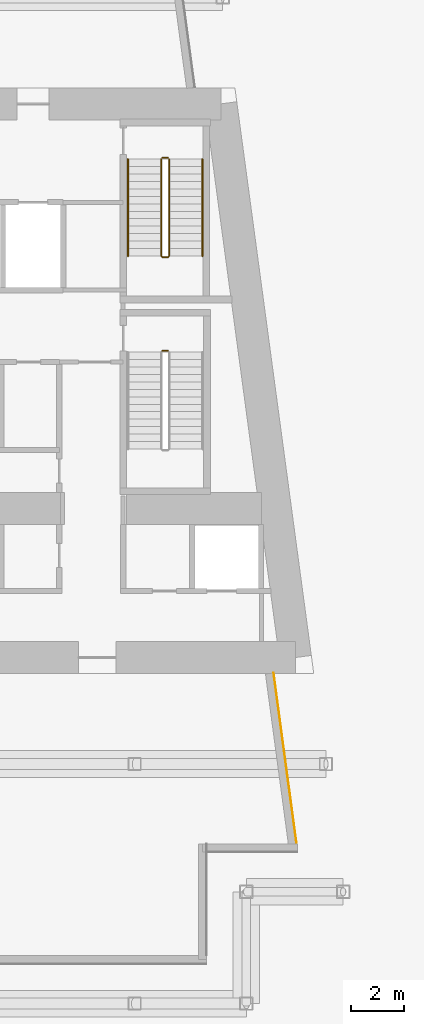
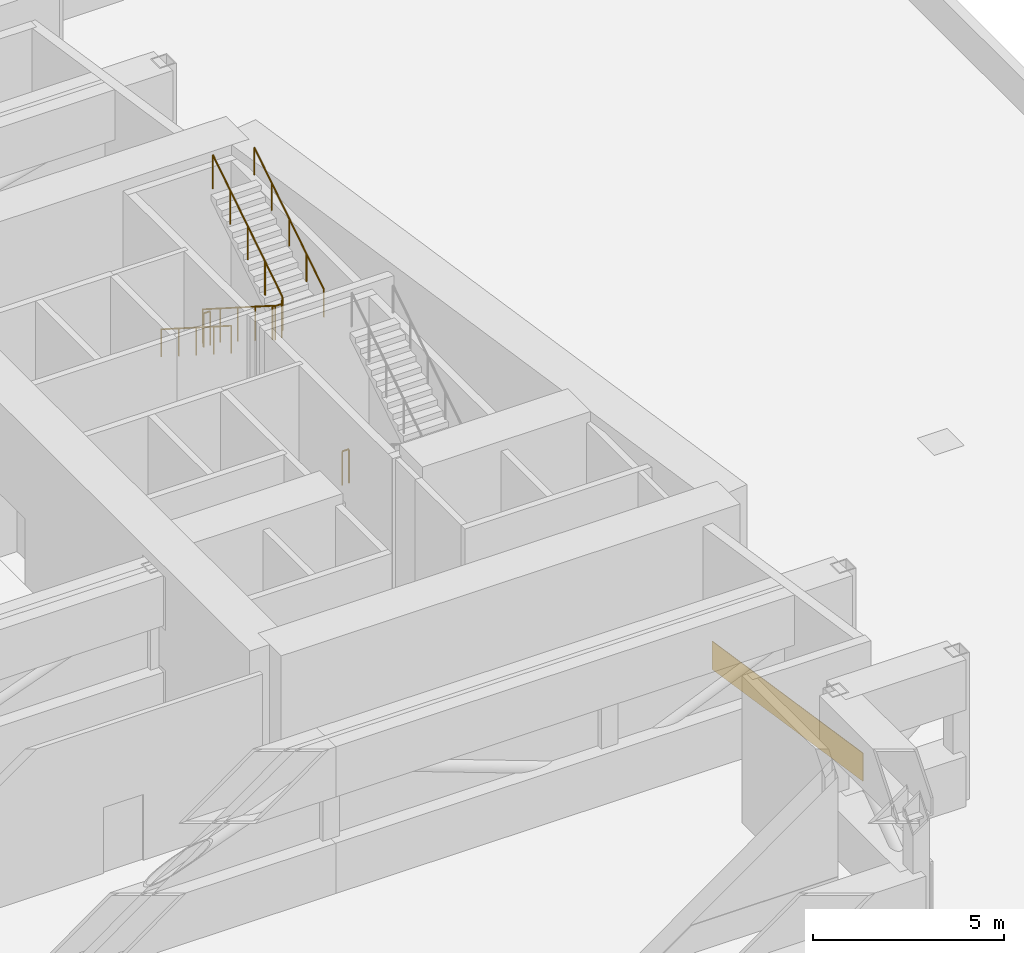
# One storey, part 24 of 26: 5 railings, 1 covering.
"""IFC4 building model written with IfcOpenShell, lengths in metres."""

import ifcopenshell
import ifcopenshell.guid

model = None  # the IFC model being written
_history = None  # IfcOwnerHistory: only IFC2X3 demands one
_inside = {}  # id of a spatial element -> (the spatial element, [elements in it])
_under = {}  # id of a project, library or spatial element -> (it, [spatial elements below it])
_declared = {}  # id of a project -> (the project, [libraries it declares])
_typed = {}  # id of a type object -> (the type object, [elements of that type])
_made_of = {}  # id of a material, layer set ... -> (it, [elements and type objects made of it])


def new_model(schema):
    """Start an empty IFC model of exactly this schema.

    Asked for "IFC4X3", IfcOpenShell would pick the latest addendum, in which some entities
    have other attributes; the version numbers below select the first issue.
    IFC2X3 requires an IfcOwnerHistory on every rooted entity: one is made here for all.
    """
    global model, _history
    if schema == "IFC4X3":
        model = ifcopenshell.file(schema_version=(4, 3, 0, 0))
    else:
        model = ifcopenshell.file(schema=schema)
    _inside.clear()
    _under.clear()
    _declared.clear()
    _typed.clear()
    _made_of.clear()
    _history = None
    if model.schema == "IFC2X3":
        org = make("IfcOrganization", Name="unknown")
        user = make(
            "IfcPersonAndOrganization",
            ThePerson=make("IfcPerson", FamilyName="unknown"),
            TheOrganization=org,
        )
        app = make(
            "IfcApplication",
            ApplicationDeveloper=org,
            Version="unknown",
            ApplicationFullName="unknown",
            ApplicationIdentifier="unknown",
        )
        _history = make(
            "IfcOwnerHistory",
            OwningUser=user,
            OwningApplication=app,
            ChangeAction="ADDED",
            CreationDate=0,
        )
    return model


def make(cls, **values):
    """One entity of the class cls with the attributes given. An attribute that is None is left unset."""
    return model.create_entity(
        cls, **{name: value for name, value in values.items() if value is not None}
    )


def rooted(cls, **values):
    """An entity with a GlobalId (a new one), such as an element, a storey or a relation."""
    return make(cls, GlobalId=ifcopenshell.guid.new(), OwnerHistory=_history, **values)


def si_unit(unit_type, name, prefix=None):
    """IfcSIUnit, for example si_unit("LENGTHUNIT", "METRE", prefix="MILLI")."""
    return make("IfcSIUnit", UnitType=unit_type, Prefix=prefix, Name=name)


def assignment(units):
    """IfcUnitAssignment: the units of a project."""
    return None if units is None else make("IfcUnitAssignment", Units=units)


def point(xyz):
    """IfcCartesianPoint."""
    return None if xyz is None else make("IfcCartesianPoint", Coordinates=xyz)


def direction(xyz):
    """IfcDirection."""
    return None if xyz is None else make("IfcDirection", DirectionRatios=xyz)


def frame(location, z_axis=None, x_axis=None):
    """IfcAxis2Placement3D, a coordinate frame: its origin and axes. An axis left out is left unset."""
    return make(
        "IfcAxis2Placement3D",
        Location=point(location),
        Axis=direction(z_axis),
        RefDirection=direction(x_axis),
    )


def frame_2d(location, x_axis=None):
    """IfcAxis2Placement2D, a coordinate frame in the plane: its origin and x axis."""
    return make(
        "IfcAxis2Placement2D", Location=point(location), RefDirection=direction(x_axis)
    )


def origin():
    """The frame at (0, 0, 0) with its axes left unset."""
    return frame((0.0, 0.0, 0.0))


def origin_2d():
    """The frame at (0, 0) in the plane with its x axis left unset."""
    return frame_2d((0.0, 0.0))


def place(relative_to, where):
    """IfcLocalPlacement: puts the frame where relative to a parent placement (None: the world)."""
    return make(
        "IfcLocalPlacement", PlacementRelTo=relative_to, RelativePlacement=where
    )


def context(
    kind, dimensions, precision=None, world=None, true_north=None, identifier=None
):
    """IfcGeometricRepresentationContext, for example the 3D "Model" context."""
    return make(
        "IfcGeometricRepresentationContext",
        ContextIdentifier=identifier,
        ContextType=kind,
        CoordinateSpaceDimension=dimensions,
        Precision=precision,
        WorldCoordinateSystem=world,
        TrueNorth=true_north,
    )


def subcontext(parent, identifier, kind, view, scale=None):
    """IfcGeometricRepresentationSubContext, for example "Body" below "Model"."""
    return make(
        "IfcGeometricRepresentationSubContext",
        ContextIdentifier=identifier,
        ContextType=kind,
        ParentContext=parent,
        TargetScale=scale,
        TargetView=view,
    )


def project(units=None, contexts=None):
    """IfcProject with its units and contexts."""
    return rooted(
        "IfcProject",
        Name="project",
        RepresentationContexts=contexts,
        UnitsInContext=assignment(units),
    )


def spatial(cls, under=None, at=None, **own):
    """A site, building, storey or space (cls), placed at a placement, below another one or the project."""
    s = rooted(cls, ObjectPlacement=at, **own)
    if under is not None:
        _under.setdefault(under.id(), (under, []))[1].append(s)
    return s


def profile(cls, at=None, kind="AREA", **sizes):
    """A parametric profile (cls). Its sizes go by their IFC names, for example OverallWidth=200.0."""
    return make(cls, ProfileType=kind, Position=at, **sizes)


def rectangle(**sizes):
    """IfcRectangleProfileDef."""
    return profile("IfcRectangleProfileDef", **sizes)


def circle(**sizes):
    """IfcCircleProfileDef."""
    return profile("IfcCircleProfileDef", **sizes)


def extrude(swept, where, along, depth):
    """IfcExtrudedAreaSolid: the profile swept, set in the frame where, extruded along a direction by depth."""
    return make(
        "IfcExtrudedAreaSolid",
        SweptArea=swept,
        Position=where,
        ExtrudedDirection=direction(along),
        Depth=depth,
    )


def shape(context_of_items, identifier, shape_type, items):
    """IfcShapeRepresentation: the items that make up one representation, for example the "Body"."""
    return make(
        "IfcShapeRepresentation",
        ContextOfItems=context_of_items,
        RepresentationIdentifier=identifier,
        RepresentationType=shape_type,
        Items=items,
    )


def material(Name=None, Category=None):
    """IfcMaterial."""
    return make("IfcMaterial", Name=Name, Category=Category)


def layer(
    of_material, thickness, ventilated=None, Name=None, Category=None, Priority=None
):
    """IfcMaterialLayer: one layer of a wall or slab, of a material (None: an air gap)."""
    return make(
        "IfcMaterialLayer",
        Material=of_material,
        LayerThickness=thickness,
        IsVentilated=ventilated,
        Name=Name,
        Category=Category,
        Priority=Priority,
    )


def layer_set(layers, Name=None):
    """IfcMaterialLayerSet."""
    return make("IfcMaterialLayerSet", MaterialLayers=layers, LayerSetName=Name)


def made_of(thing, what):
    """Note that an element or type object is made of a material, layer set ...; save() writes the relation."""
    if what is not None:
        _made_of.setdefault(what.id(), (what, []))[1].append(thing)
    return thing


def type_object(cls, material=None, **own):
    """A type object (cls), such as IfcWallType, which elements share."""
    return made_of(rooted(cls, **own), material)


def element(
    cls,
    number,
    at=None,
    inside=None,
    cuts=None,
    type_object=None,
    material=None,
    context=None,
    identifier="Body",
    shape_type=None,
    held_by="IfcProductDefinitionShape",
    body=None,
    shapes=None,
    **own,
):
    """One element of the class cls, such as IfcWall. Its Tag is "e" and its number.

    at: its placement. inside: the storey or other place that contains it. cuts: it is an
    opening in that element (IfcRelVoidsElement). A single representation is given by context,
    identifier, shape_type and body (its items); several are given by shapes. held_by: the class
    of the entity that holds the representations. save() writes the other relations.
    """
    e = rooted(cls, Tag="e%d" % number, ObjectPlacement=at, **own)
    if body is not None:
        shapes = [shape(context, identifier, shape_type, body)]
    if shapes is not None:
        e.Representation = make(held_by, Representations=shapes)
    if inside is not None:
        _inside.setdefault(inside.id(), (inside, []))[1].append(e)
    if cuts is not None:
        rooted(
            "IfcRelVoidsElement", RelatingBuildingElement=cuts, RelatedOpeningElement=e
        )
    if type_object is not None:
        _typed.setdefault(type_object.id(), (type_object, []))[1].append(e)
    return made_of(e, material)


def aggregate(whole, parts):
    """IfcRelAggregates: a whole, such as a stair, and the parts it consists of."""
    return rooted("IfcRelAggregates", RelatingObject=whole, RelatedObjects=parts)


def save(model, path):
    """Write the relations noted so far, then the file.

    IfcRelAggregates (storeys below a building ...), IfcRelContainedInSpatialStructure (elements
    in a storey), IfcRelDefinesByType, IfcRelAssociatesMaterial and IfcRelDeclares: one each for
    every whole, place, type object, material and project.
    """
    for whole, parts in _under.values():
        aggregate(whole, parts)
    for where, things in _inside.values():
        rooted(
            "IfcRelContainedInSpatialStructure",
            RelatedElements=things,
            RelatingStructure=where,
        )
    for kind, things in _typed.values():
        rooted("IfcRelDefinesByType", RelatedObjects=things, RelatingType=kind)
    for what, things in _made_of.values():
        rooted("IfcRelAssociatesMaterial", RelatedObjects=things, RelatingMaterial=what)
    for by, libraries in _declared.values():
        rooted("IfcRelDeclares", RelatingContext=by, RelatedDefinitions=libraries)
    model.write(path)


model = new_model("IFC4")

# Units and contexts
model_context = context("Model", 3, precision=1e-05, world=origin(), true_north=direction((0.0, 1.0)))
body_context = subcontext(model_context, "Body", "Model", "MODEL_VIEW")
ifc_project = project(units=[si_unit("LENGTHUNIT", "METRE"), si_unit("AREAUNIT", "SQUARE_METRE"), si_unit("VOLUMEUNIT", "CUBIC_METRE"), si_unit("PLANEANGLEUNIT", "RADIAN"), si_unit("MASSUNIT", "GRAM", prefix="KILO")], contexts=[model_context])

# Site, building, storey
site_placement = place(None, origin())
site = spatial("IfcSite", under=ifc_project, at=site_placement, CompositionType="ELEMENT")
building_placement = place(site_placement, origin())
building = spatial("IfcBuilding", under=site, at=building_placement, Name="Candeia Pilgrim Tower and Theatre", CompositionType="ELEMENT")
storey_placement = place(building_placement, frame((0.0, 0.0, 34.0)))
storey = spatial("IfcBuildingStorey", under=building, at=storey_placement, Name="L05", CompositionType="ELEMENT", Elevation=34.0)

# Covering
ifc_material_1 = material(Name="Glazed ceramic tile deep red")
ifc_layer = layer(ifc_material_1, 0.02001953125)
ifc_layer_set = layer_set([ifc_layer], Name="Glazed ceramic tile deep red")
covering_type = type_object("IfcCoveringType", Name="Glazed ceramic tile deep red", PredefinedType="CLADDING", material=ifc_layer_set)
covering_placement = place(storey_placement, frame((140.053955078125, 107.23046875, 0.0), z_axis=(0.0, 0.0, 1.0), x_axis=(-0.133412012145, 0.991060661622, 0.0)))
element("IfcCovering", 1, at=covering_placement, inside=storey, type_object=covering_type, Name="Tile cladding deep red L05", PredefinedType="CLADDING", context=body_context, shape_type="SweptSolid", body=[
    extrude(rectangle(XDim=6.43896484375, YDim=0.02001953125, at=origin_2d()), origin(), (0.0, 0.0, 1.0), 0.89990234375),
])

# Railings
ifc_material_2 = material(Name="Stainless steel balustrade", Category="steel")
railing_type_1 = type_object("IfcRailingType", Name="RL-GUARD-1100", PredefinedType="GUARDRAIL", material=ifc_material_2)
railing_1_placement = place(storey_placement, frame((135.447998046875, 122.52490234375, 0.0)))
element("IfcRailing", 2, at=railing_1_placement, inside=storey, type_object=railing_type_1, Name="L05 ST3 stair guard 2", PredefinedType="GUARDRAIL", context=body_context, shape_type="SweptSolid", body=[
    extrude(circle(Radius=0.02392578125, at=origin_2d()), frame((0.0, 0.0, 1.076171875), z_axis=(1.0, 0.0, 0.0), x_axis=(0.0, 1.0, 0.0)), (0.0, 0.0, 1.0), 0.199951171875),
    extrude(circle(Radius=0.02099609375, at=origin_2d()), origin(), (0.0, 0.0, 1.0), 1.052001953125),
    extrude(circle(Radius=0.02099609375, at=origin_2d()), frame((0.199951171875, 0.0, 0.0)), (0.0, 0.0, 1.0), 1.052001953125),
])
railing_2_placement = place(storey_placement, frame((135.39794921875, 129.72509765625, 0.178466796875)))
element("IfcRailing", 3, at=railing_2_placement, inside=storey, type_object=railing_type_1, Name="L05 ST4 stair guard 1", PredefinedType="GUARDRAIL", context=body_context, shape_type="SweptSolid", body=[
    extrude(circle(Radius=0.02392578125, at=origin_2d()), frame((0.0, 0.0, 1.076171875), z_axis=(0.0, -0.843127859045, 0.537713132908), x_axis=(1.0, 0.0, 0.0)), (0.0, 0.0, 1.0), 4.3173828125),
    extrude(circle(Radius=0.02392578125, at=origin_2d()), frame((0.0, -3.64013671875, 3.3974609375), z_axis=(0.707106781187, -0.707106781187, 0.0), x_axis=(0.707106781187, 0.707106781187, 0.0)), (0.0, 0.0, 1.0), 0.07080078125),
    extrude(circle(Radius=0.02392578125, at=origin_2d()), frame((0.050048828125, -3.690185546875, 3.3974609375), z_axis=(1.0, 0.0, 0.0), x_axis=(0.0, 1.0, 0.0)), (0.0, 0.0, 1.0), 0.199951171875),
    extrude(circle(Radius=0.02392578125, at=origin_2d()), frame((0.25, -3.690185546875, 3.3974609375), z_axis=(0.260684529273, 0.260684529273, 0.929562882432), x_axis=(-0.707106781187, 0.707106781187, 0.0)), (0.0, 0.0, 1.0), 0.19189453125),
    extrude(circle(Radius=0.02392578125, at=origin_2d()), frame((0.300048828125, -3.64013671875, 3.576171875), z_axis=(0.0, 0.843127859045, 0.537713132908), x_axis=(-1.0, 0.0, 0.0)), (0.0, 0.0, 1.0), 4.3173828125),
    extrude(circle(Radius=0.02099609375, at=origin_2d()), origin(), (0.0, 0.0, 1.0), 1.052001953125),
    extrude(circle(Radius=0.02099609375, at=origin_2d()), frame((0.0, -0.91015625, 0.580322265625)), (0.0, 0.0, 1.0), 1.052001953125),
    extrude(circle(Radius=0.02099609375, at=origin_2d()), frame((0.0, -1.820068359375, 1.16064453125)), (0.0, 0.0, 1.0), 1.052001953125),
    extrude(circle(Radius=0.02099609375, at=origin_2d()), frame((0.0, -2.72998046875, 1.7412109375)), (0.0, 0.0, 1.0), 1.052001953125),
    extrude(circle(Radius=0.02099609375, at=origin_2d()), frame((0.0, -3.64013671875, 2.321533203125)), (0.0, 0.0, 1.0), 1.052001953125),
    extrude(circle(Radius=0.02099609375, at=origin_2d()), frame((0.050048828125, -3.690185546875, 2.321533203125)), (0.0, 0.0, 1.0), 1.052001953125),
    extrude(circle(Radius=0.02099609375, at=origin_2d()), frame((0.25, -3.690185546875, 2.321533203125)), (0.0, 0.0, 1.0), 1.052001953125),
    extrude(circle(Radius=0.02099609375, at=origin_2d()), frame((0.300048828125, -3.64013671875, 2.5)), (0.0, 0.0, 1.0), 1.052001953125),
    extrude(circle(Radius=0.02099609375, at=origin_2d()), frame((0.300048828125, -2.72998046875, 3.080322265625)), (0.0, 0.0, 1.0), 1.052001953125),
    extrude(circle(Radius=0.02099609375, at=origin_2d()), frame((0.300048828125, -1.820068359375, 3.66064453125)), (0.0, 0.0, 1.0), 1.052001953125),
    extrude(circle(Radius=0.02099609375, at=origin_2d()), frame((0.300048828125, -0.91015625, 4.2412109375)), (0.0, 0.0, 1.0), 1.052001953125),
    extrude(circle(Radius=0.02099609375, at=origin_2d()), frame((0.300048828125, 0.0, 4.821533203125)), (0.0, 0.0, 1.0), 1.052001953125),
])
railing_3_placement = place(storey_placement, frame((135.447998046875, 129.77490234375, 0.0)))
element("IfcRailing", 4, at=railing_3_placement, inside=storey, type_object=railing_type_1, Name="L05 ST4 stair guard 2", PredefinedType="GUARDRAIL", context=body_context, shape_type="SweptSolid", body=[
    extrude(circle(Radius=0.02392578125, at=origin_2d()), frame((0.0, 0.0, 1.076171875), z_axis=(1.0, 0.0, 0.0), x_axis=(0.0, 1.0, 0.0)), (0.0, 0.0, 1.0), 0.199951171875),
    extrude(circle(Radius=0.02099609375, at=origin_2d()), origin(), (0.0, 0.0, 1.0), 1.052001953125),
    extrude(circle(Radius=0.02099609375, at=origin_2d()), frame((0.199951171875, 0.0, 0.0)), (0.0, 0.0, 1.0), 1.052001953125),
])
ifc_material_3 = material(Name="Stainless steel handrail", Category="steel")
railing_type_2 = type_object("IfcRailingType", Name="RL-HANDRAIL-900", PredefinedType="HANDRAIL", material=ifc_material_3)
railing_4_placement = place(storey_placement, frame((134.14794921875, 129.72509765625, 0.178466796875)))
element("IfcRailing", 5, at=railing_4_placement, inside=storey, type_object=railing_type_2, Name="L05 ST4 stair handrail 1", PredefinedType="HANDRAIL", context=body_context, shape_type="SweptSolid", body=[
    extrude(circle(Radius=0.02392578125, at=origin_2d()), frame((0.0, 0.0, 0.8759765625), z_axis=(0.0, -0.843127859045, 0.537713132908), x_axis=(1.0, 0.0, 0.0)), (0.0, 0.0, 1.0), 4.3173828125),
    extrude(circle(Radius=0.02099609375, at=origin_2d()), origin(), (0.0, 0.0, 1.0), 0.851806640625),
    extrude(circle(Radius=0.02099609375, at=origin_2d()), frame((0.0, -0.91015625, 0.580322265625)), (0.0, 0.0, 1.0), 0.851806640625),
    extrude(circle(Radius=0.02099609375, at=origin_2d()), frame((0.0, -1.820068359375, 1.16064453125)), (0.0, 0.0, 1.0), 0.851806640625),
    extrude(circle(Radius=0.02099609375, at=origin_2d()), frame((0.0, -2.72998046875, 1.7412109375)), (0.0, 0.0, 1.0), 0.851806640625),
    extrude(circle(Radius=0.02099609375, at=origin_2d()), frame((0.0, -3.64013671875, 2.321533203125)), (0.0, 0.0, 1.0), 0.851806640625),
])
railing_5_placement = place(storey_placement, frame((136.947998046875, 126.0849609375, 2.678466796875)))
element("IfcRailing", 6, at=railing_5_placement, inside=storey, type_object=railing_type_2, Name="L05 ST4 stair handrail 2", PredefinedType="HANDRAIL", context=body_context, shape_type="SweptSolid", body=[
    extrude(circle(Radius=0.02392578125, at=origin_2d()), frame((0.0, 0.0, 0.8759765625), z_axis=(0.0, 0.843127859045, 0.537713132908), x_axis=(-1.0, 0.0, 0.0)), (0.0, 0.0, 1.0), 4.3173828125),
    extrude(circle(Radius=0.02099609375, at=origin_2d()), origin(), (0.0, 0.0, 1.0), 0.851806640625),
    extrude(circle(Radius=0.02099609375, at=origin_2d()), frame((0.0, 0.91015625, 0.580322265625)), (0.0, 0.0, 1.0), 0.851806640625),
    extrude(circle(Radius=0.02099609375, at=origin_2d()), frame((0.0, 1.820068359375, 1.16064453125)), (0.0, 0.0, 1.0), 0.851806640625),
    extrude(circle(Radius=0.02099609375, at=origin_2d()), frame((0.0, 2.72998046875, 1.7412109375)), (0.0, 0.0, 1.0), 0.851806640625),
    extrude(circle(Radius=0.02099609375, at=origin_2d()), frame((0.0, 3.64013671875, 2.321533203125)), (0.0, 0.0, 1.0), 0.851806640625),
])

save(model, "model.ifc")
